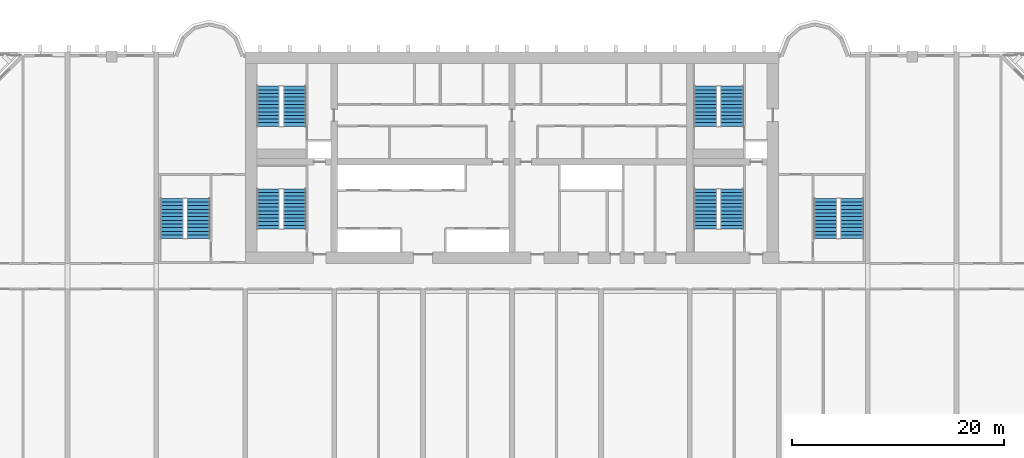
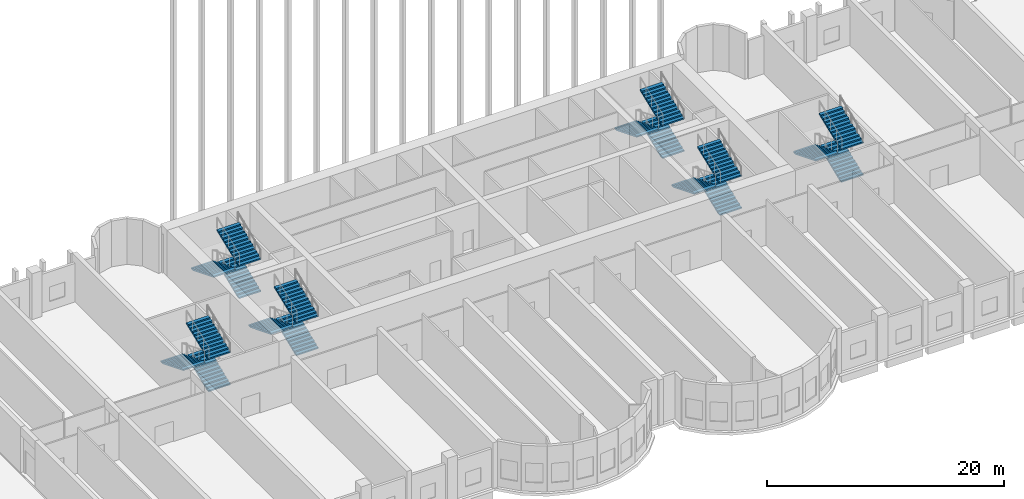
# One storey, part 9 of 11: 18 stair flights, 6 elements without a shape of their own.
"""IFC4 building model written with IfcOpenShell, lengths in metres."""

from ifc_helpers import new_model, si_unit, direction, frame, origin, place, context, subcontext, project, spatial, polyline, outline, extrude, source, transform, mapped, material, type_object, element, aggregate, save


model = new_model("IFC4")

# Units and contexts
model_context = context("Model", 3, precision=1e-05, world=origin(), true_north=direction((0.0, 1.0)))
body_context = subcontext(model_context, "Body", "Model", "MODEL_VIEW")
ifc_project = project(units=[si_unit("LENGTHUNIT", "METRE"), si_unit("AREAUNIT", "SQUARE_METRE"), si_unit("VOLUMEUNIT", "CUBIC_METRE"), si_unit("PLANEANGLEUNIT", "RADIAN"), si_unit("MASSUNIT", "GRAM", prefix="KILO")], contexts=[model_context])

# Site, building, storey
site_placement = place(None, origin())
site = spatial("IfcSite", under=ifc_project, at=site_placement, CompositionType="ELEMENT")
building_placement = place(site_placement, origin())
building = spatial("IfcBuilding", under=site, at=building_placement, Name="Vanashikhar Sky Hotel", CompositionType="ELEMENT")
storey_placement = place(building_placement, frame((0.0, 0.0, 18.0)))
storey = spatial("IfcBuildingStorey", under=building, at=storey_placement, Name="L03", CompositionType="ELEMENT", Elevation=18.0)

# Stair, stair flights
ifc_material = material(Name="Concrete M40", Category="concrete")
stair_type = type_object("IfcStairType", Name="Exit stair 2150", PredefinedType="DOUBLE_RETURN_STAIR", material=ifc_material)
stair_1_placement = place(storey_placement, origin())
stair_1 = element("IfcStair", 1, at=stair_1_placement, inside=storey, type_object=stair_type, Name="L03 Exit stair 1", PredefinedType="DOUBLE_RETURN_STAIR")
stair_flight_type = type_object("IfcStairFlightType", Name="Stair flight 2150", PredefinedType="STRAIGHT", material=ifc_material)
shared_shape = source(origin(), body_context, "Body", "SweptSolid", [
    extrude(outline(polyline([(0.0, 0.0), (0.0, 0.138916015625), (0.345458984375, 0.138916015625), (0.345458984375, 0.27783203125), (0.69091796875, 0.27783203125), (0.69091796875, 0.416748046875), (1.036376953125, 0.416748046875), (1.036376953125, 0.5556640625), (1.3818359375, 0.5556640625), (1.3818359375, 0.6943359375), (1.727294921875, 0.6943359375), (1.727294921875, 0.833251953125), (2.07275390625, 0.833251953125), (2.07275390625, 0.97216796875), (2.418212890625, 0.97216796875), (2.418212890625, 1.111083984375), (2.763671875, 1.111083984375), (2.763671875, 1.25), (3.109130859375, 1.25), (3.109130859375, 1.388916015625), (3.45458984375, 1.388916015625), (3.45458984375, 1.52783203125), (3.800048828125, 1.52783203125), (3.800048828125, 1.666748046875), (3.800048828125, 1.3984375), (0.322021484375, 0.0), (0.0, 0.0)])), frame((0.0, 1.074951171875, 0.0), z_axis=(0.0, -1.0, 0.0), x_axis=(1.0, 0.0, 0.0)), (0.0, 0.0, 1.0), 2.14990234375),
])
stair_flight_1_placement = place(storey_placement, frame((29.875, 25.25, 0.0), z_axis=(0.0, 0.0, 1.0), x_axis=(0.0, 1.0, 0.0)))
stair_flight_1 = element("IfcStairFlight", 2, at=stair_flight_1_placement, type_object=stair_flight_type, Name="ST-C1 flight 1", NumberOfRisers=12, NumberOfTreads=11, PredefinedType="STRAIGHT", RiserHeight=0.138888889, TreadLength=0.345454545, context=body_context, shape_type="MappedRepresentation", body=[
    mapped(shared_shape, transform((0.0, 0.0, 0.0), scale=1.0)),
])
stair_flight_2_placement = place(storey_placement, frame((27.375, 29.050048828125, 1.666748046875), z_axis=(0.0, 0.0, 1.0), x_axis=(0.0, -1.0, 0.0)))
stair_flight_2 = element("IfcStairFlight", 3, at=stair_flight_2_placement, type_object=stair_flight_type, Name="ST-C1 flight 2", NumberOfRisers=12, NumberOfTreads=11, PredefinedType="STRAIGHT", RiserHeight=0.138888889, TreadLength=0.345454545, context=body_context, shape_type="MappedRepresentation", body=[
    mapped(shared_shape, transform((0.0, 0.0, 0.0), scale=1.0)),
])
stair_flight_3_placement = place(storey_placement, frame((29.875, 25.25, 3.333251953125), z_axis=(0.0, 0.0, 1.0), x_axis=(0.0, 1.0, 0.0)))
stair_flight_3 = element("IfcStairFlight", 4, at=stair_flight_3_placement, type_object=stair_flight_type, Name="ST-C1 flight 3", NumberOfRisers=12, NumberOfTreads=11, PredefinedType="STRAIGHT", RiserHeight=0.138888889, TreadLength=0.345454545, context=body_context, shape_type="MappedRepresentation", body=[
    mapped(shared_shape, transform((0.0, 0.0, 0.0), scale=1.0)),
])
aggregate(stair_1, [stair_flight_1, stair_flight_2, stair_flight_3])

stair_2_placement = place(storey_placement, origin())
stair_2 = element("IfcStair", 5, at=stair_2_placement, inside=storey, type_object=stair_type, Name="L03 Exit stair 2", PredefinedType="DOUBLE_RETURN_STAIR")
stair_flight_4_placement = place(storey_placement, frame((71.175048828125, 25.25, 0.0), z_axis=(0.0, 0.0, 1.0), x_axis=(0.0, 1.0, 0.0)))
stair_flight_4 = element("IfcStairFlight", 6, at=stair_flight_4_placement, type_object=stair_flight_type, Name="ST-C2 flight 1", NumberOfRisers=12, NumberOfTreads=11, PredefinedType="STRAIGHT", RiserHeight=0.138888889, TreadLength=0.345454545, context=body_context, shape_type="MappedRepresentation", body=[
    mapped(shared_shape, transform((0.0, 0.0, 0.0), scale=1.0)),
])
stair_flight_5_placement = place(storey_placement, frame((68.675048828125, 29.050048828125, 1.666748046875), z_axis=(0.0, 0.0, 1.0), x_axis=(0.0, -1.0, 0.0)))
stair_flight_5 = element("IfcStairFlight", 7, at=stair_flight_5_placement, type_object=stair_flight_type, Name="ST-C2 flight 2", NumberOfRisers=12, NumberOfTreads=11, PredefinedType="STRAIGHT", RiserHeight=0.138888889, TreadLength=0.345454545, context=body_context, shape_type="MappedRepresentation", body=[
    mapped(shared_shape, transform((0.0, 0.0, 0.0), scale=1.0)),
])
stair_flight_6_placement = place(storey_placement, frame((71.175048828125, 25.25, 3.333251953125), z_axis=(0.0, 0.0, 1.0), x_axis=(0.0, 1.0, 0.0)))
stair_flight_6 = element("IfcStairFlight", 8, at=stair_flight_6_placement, type_object=stair_flight_type, Name="ST-C2 flight 3", NumberOfRisers=12, NumberOfTreads=11, PredefinedType="STRAIGHT", RiserHeight=0.138888889, TreadLength=0.345454545, context=body_context, shape_type="MappedRepresentation", body=[
    mapped(shared_shape, transform((0.0, 0.0, 0.0), scale=1.0)),
])
aggregate(stair_2, [stair_flight_4, stair_flight_5, stair_flight_6])

stair_3_placement = place(storey_placement, origin())
stair_3 = element("IfcStair", 9, at=stair_3_placement, inside=storey, type_object=stair_type, Name="L03 Exit stair 3", PredefinedType="DOUBLE_RETURN_STAIR")
stair_flight_7_placement = place(storey_placement, frame((20.77490234375, 24.35009765625, 0.0), z_axis=(0.0, 0.0, 1.0), x_axis=(0.0, 1.0, 0.0)))
stair_flight_7 = element("IfcStairFlight", 10, at=stair_flight_7_placement, type_object=stair_flight_type, Name="ST-W flight 1", NumberOfRisers=12, NumberOfTreads=11, PredefinedType="STRAIGHT", RiserHeight=0.138888889, TreadLength=0.345454545, context=body_context, shape_type="MappedRepresentation", body=[
    mapped(shared_shape, transform((0.0, 0.0, 0.0), scale=1.0)),
])
stair_flight_8_placement = place(storey_placement, frame((18.27490234375, 28.14990234375, 1.666748046875), z_axis=(0.0, 0.0, 1.0), x_axis=(0.0, -1.0, 0.0)))
stair_flight_8 = element("IfcStairFlight", 11, at=stair_flight_8_placement, type_object=stair_flight_type, Name="ST-W flight 2", NumberOfRisers=12, NumberOfTreads=11, PredefinedType="STRAIGHT", RiserHeight=0.138888889, TreadLength=0.345454545, context=body_context, shape_type="MappedRepresentation", body=[
    mapped(shared_shape, transform((0.0, 0.0, 0.0), scale=1.0)),
])
stair_flight_9_placement = place(storey_placement, frame((20.77490234375, 24.35009765625, 3.333251953125), z_axis=(0.0, 0.0, 1.0), x_axis=(0.0, 1.0, 0.0)))
stair_flight_9 = element("IfcStairFlight", 12, at=stair_flight_9_placement, type_object=stair_flight_type, Name="ST-W flight 3", NumberOfRisers=12, NumberOfTreads=11, PredefinedType="STRAIGHT", RiserHeight=0.138888889, TreadLength=0.345454545, context=body_context, shape_type="MappedRepresentation", body=[
    mapped(shared_shape, transform((0.0, 0.0, 0.0), scale=1.0)),
])
aggregate(stair_3, [stair_flight_7, stair_flight_8, stair_flight_9])

stair_4_placement = place(storey_placement, origin())
stair_4 = element("IfcStair", 13, at=stair_4_placement, inside=storey, type_object=stair_type, Name="L03 Exit stair 4", PredefinedType="DOUBLE_RETURN_STAIR")
stair_flight_10_placement = place(storey_placement, frame((82.52490234375, 24.35009765625, 0.0), z_axis=(0.0, 0.0, 1.0), x_axis=(0.0, 1.0, 0.0)))
stair_flight_10 = element("IfcStairFlight", 14, at=stair_flight_10_placement, type_object=stair_flight_type, Name="ST-E flight 1", NumberOfRisers=12, NumberOfTreads=11, PredefinedType="STRAIGHT", RiserHeight=0.138888889, TreadLength=0.345454545, context=body_context, shape_type="MappedRepresentation", body=[
    mapped(shared_shape, transform((0.0, 0.0, 0.0), scale=1.0)),
])
stair_flight_11_placement = place(storey_placement, frame((80.02490234375, 28.14990234375, 1.666748046875), z_axis=(0.0, 0.0, 1.0), x_axis=(0.0, -1.0, 0.0)))
stair_flight_11 = element("IfcStairFlight", 15, at=stair_flight_11_placement, type_object=stair_flight_type, Name="ST-E flight 2", NumberOfRisers=12, NumberOfTreads=11, PredefinedType="STRAIGHT", RiserHeight=0.138888889, TreadLength=0.345454545, context=body_context, shape_type="MappedRepresentation", body=[
    mapped(shared_shape, transform((0.0, 0.0, 0.0), scale=1.0)),
])
stair_flight_12_placement = place(storey_placement, frame((82.52490234375, 24.35009765625, 3.333251953125), z_axis=(0.0, 0.0, 1.0), x_axis=(0.0, 1.0, 0.0)))
stair_flight_12 = element("IfcStairFlight", 16, at=stair_flight_12_placement, type_object=stair_flight_type, Name="ST-E flight 3", NumberOfRisers=12, NumberOfTreads=11, PredefinedType="STRAIGHT", RiserHeight=0.138888889, TreadLength=0.345454545, context=body_context, shape_type="MappedRepresentation", body=[
    mapped(shared_shape, transform((0.0, 0.0, 0.0), scale=1.0)),
])
aggregate(stair_4, [stair_flight_10, stair_flight_11, stair_flight_12])

stair_5_placement = place(storey_placement, origin())
stair_5 = element("IfcStair", 17, at=stair_5_placement, inside=storey, type_object=stair_type, Name="L03 Exit stair 5", PredefinedType="DOUBLE_RETURN_STAIR")
stair_flight_13_placement = place(storey_placement, frame((29.875, 34.949951171875, 0.0), z_axis=(0.0, 0.0, 1.0), x_axis=(0.0, 1.0, 0.0)))
stair_flight_13 = element("IfcStairFlight", 18, at=stair_flight_13_placement, type_object=stair_flight_type, Name="ST-C3 flight 1", NumberOfRisers=12, NumberOfTreads=11, PredefinedType="STRAIGHT", RiserHeight=0.138888889, TreadLength=0.345454545, context=body_context, shape_type="MappedRepresentation", body=[
    mapped(shared_shape, transform((0.0, 0.0, 0.0), scale=1.0)),
])
stair_flight_14_placement = place(storey_placement, frame((27.375, 38.75, 1.666748046875), z_axis=(0.0, 0.0, 1.0), x_axis=(0.0, -1.0, 0.0)))
stair_flight_14 = element("IfcStairFlight", 19, at=stair_flight_14_placement, type_object=stair_flight_type, Name="ST-C3 flight 2", NumberOfRisers=12, NumberOfTreads=11, PredefinedType="STRAIGHT", RiserHeight=0.138888889, TreadLength=0.345454545, context=body_context, shape_type="MappedRepresentation", body=[
    mapped(shared_shape, transform((0.0, 0.0, 0.0), scale=1.0)),
])
stair_flight_15_placement = place(storey_placement, frame((29.875, 34.949951171875, 3.333251953125), z_axis=(0.0, 0.0, 1.0), x_axis=(0.0, 1.0, 0.0)))
stair_flight_15 = element("IfcStairFlight", 20, at=stair_flight_15_placement, type_object=stair_flight_type, Name="ST-C3 flight 3", NumberOfRisers=12, NumberOfTreads=11, PredefinedType="STRAIGHT", RiserHeight=0.138888889, TreadLength=0.345454545, context=body_context, shape_type="MappedRepresentation", body=[
    mapped(shared_shape, transform((0.0, 0.0, 0.0), scale=1.0)),
])
aggregate(stair_5, [stair_flight_13, stair_flight_14, stair_flight_15])

stair_6_placement = place(storey_placement, origin())
stair_6 = element("IfcStair", 21, at=stair_6_placement, inside=storey, type_object=stair_type, Name="L03 Exit stair 6", PredefinedType="DOUBLE_RETURN_STAIR")
stair_flight_16_placement = place(storey_placement, frame((71.175048828125, 34.949951171875, 0.0), z_axis=(0.0, 0.0, 1.0), x_axis=(0.0, 1.0, 0.0)))
stair_flight_16 = element("IfcStairFlight", 22, at=stair_flight_16_placement, type_object=stair_flight_type, Name="ST-C4 flight 1", NumberOfRisers=12, NumberOfTreads=11, PredefinedType="STRAIGHT", RiserHeight=0.138888889, TreadLength=0.345454545, context=body_context, shape_type="MappedRepresentation", body=[
    mapped(shared_shape, transform((0.0, 0.0, 0.0), scale=1.0)),
])
stair_flight_17_placement = place(storey_placement, frame((68.675048828125, 38.75, 1.666748046875), z_axis=(0.0, 0.0, 1.0), x_axis=(0.0, -1.0, 0.0)))
stair_flight_17 = element("IfcStairFlight", 23, at=stair_flight_17_placement, type_object=stair_flight_type, Name="ST-C4 flight 2", NumberOfRisers=12, NumberOfTreads=11, PredefinedType="STRAIGHT", RiserHeight=0.138888889, TreadLength=0.345454545, context=body_context, shape_type="MappedRepresentation", body=[
    mapped(shared_shape, transform((0.0, 0.0, 0.0), scale=1.0)),
])
stair_flight_18_placement = place(storey_placement, frame((71.175048828125, 34.949951171875, 3.333251953125), z_axis=(0.0, 0.0, 1.0), x_axis=(0.0, 1.0, 0.0)))
stair_flight_18 = element("IfcStairFlight", 24, at=stair_flight_18_placement, type_object=stair_flight_type, Name="ST-C4 flight 3", NumberOfRisers=12, NumberOfTreads=11, PredefinedType="STRAIGHT", RiserHeight=0.138888889, TreadLength=0.345454545, context=body_context, shape_type="MappedRepresentation", body=[
    mapped(shared_shape, transform((0.0, 0.0, 0.0), scale=1.0)),
])
aggregate(stair_6, [stair_flight_16, stair_flight_17, stair_flight_18])

save(model, "model.ifc")
